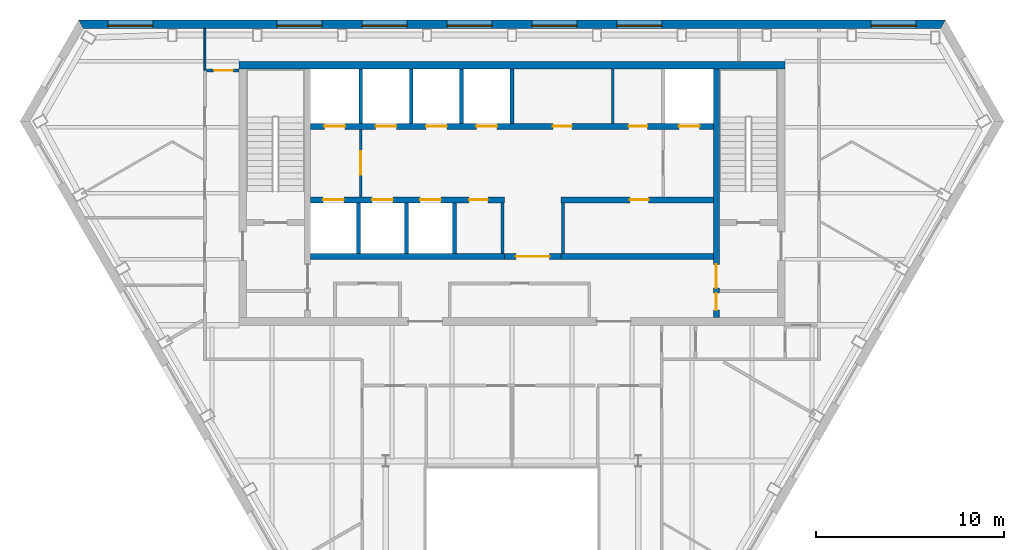
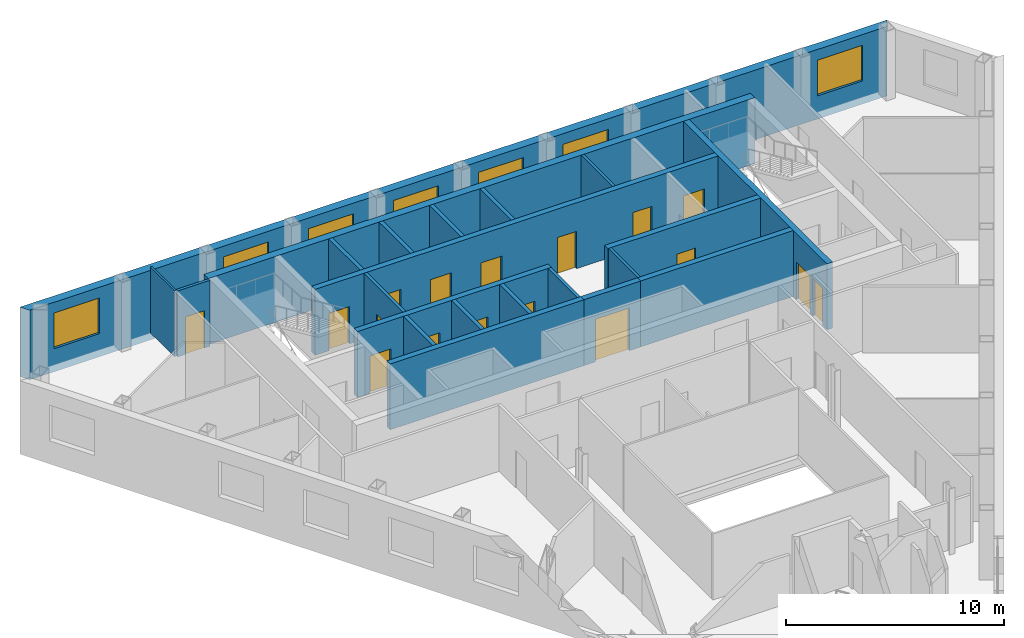
# One storey, part 6 of 10: 22 walls, 17 doors, 7 windows, 24 openings.
"""IFC4 building model written with IfcOpenShell, lengths in metres."""

from ifc_helpers import new_model, si_unit, direction, frame, frame_2d, origin, place, context, subcontext, project, spatial, polyline, rectangle, outline, extrude, material, layer, layer_set, type_object, element, fill, save


model = new_model("IFC4")

# Units and contexts
model_context = context("Model", 3, precision=1e-05, world=origin(), true_north=direction((0.0, 1.0)))
body_context = subcontext(model_context, "Body", "Model", "MODEL_VIEW")
ifc_project = project(units=[si_unit("LENGTHUNIT", "METRE"), si_unit("AREAUNIT", "SQUARE_METRE"), si_unit("VOLUMEUNIT", "CUBIC_METRE"), si_unit("PLANEANGLEUNIT", "RADIAN"), si_unit("MASSUNIT", "GRAM", prefix="KILO")], contexts=[model_context])

# Site, building, storey
site_placement = place(None, origin())
site = spatial("IfcSite", under=ifc_project, at=site_placement, CompositionType="ELEMENT")
building_placement = place(site_placement, origin())
building = spatial("IfcBuilding", under=site, at=building_placement, Name="Njiva Tower", CompositionType="ELEMENT")
storey_placement = place(building_placement, frame((0.0, 0.0, 253.2)))
storey = spatial("IfcBuildingStorey", under=building, at=storey_placement, Name="L57", CompositionType="ELEMENT", Elevation=253.2)

# Walls
ifc_material_1 = material(Name="Blockwork", Category="masonry")
ifc_layer_1 = layer(ifc_material_1, 0.15)
ifc_layer_set_1 = layer_set([ifc_layer_1], Name="Blockwork")
wall_type_1 = type_object("IfcWallType", Name="WT1 Compartment partition 150", PredefinedType="PARTITIONING", material=ifc_layer_set_1)
wall_1_placement = place(storey_placement, frame((5.35, 14.7, 0.0), z_axis=(0.0, 0.0, 1.0), x_axis=(0.0, 1.0, 0.0)))
element("IfcWall", 1, at=wall_1_placement, inside=storey, type_object=wall_type_1, Name="Partition CN6", PredefinedType="PARTITIONING", context=body_context, shape_type="SweptSolid", body=[
    extrude(rectangle(XDim=2.9, YDim=0.15, at=frame_2d((1.45, 0.0))), origin(), (0.0, 0.0, 1.0), 3.7),
])
for number, where, z_axis, x_axis, name in (
    (2, (-0.5, 7.8, 0.0), (0.0, 0.0, 1.0), (0.0, 1.0, 0.0), "Partition CS4"),
    (3, (2.7, 7.8, 0.0), (0.0, 0.0, 1.0), (0.0, 1.0, 0.0), "Partition CS5"),
):
    element("IfcWall", number, at=place(storey_placement, frame(where, z_axis=z_axis, x_axis=x_axis)), inside=storey, type_object=wall_type_1, Name=name, PredefinedType="PARTITIONING", context=body_context, shape_type="SweptSolid", body=[
        extrude(rectangle(XDim=2.7, YDim=0.15, at=frame_2d((1.35, 0.0))), origin(), (0.0, 0.0, 1.0), 3.7),
    ])

# Wall, openings, doors
ifc_material_2 = material(Name="Concrete C40/50", Category="concrete")
ifc_layer_2 = layer(ifc_material_2, 0.3)
ifc_layer_set_2 = layer_set([ifc_layer_2], Name="Concrete C40/50")
wall_type_2 = type_object("IfcWallType", Name="WT10 Stair enclosure wall 300", PredefinedType="SHEAR", material=ifc_layer_set_2)
wall_2_placement = place(storey_placement, frame((10.85, 4.4, 0.0), z_axis=(0.0, 0.0, 1.0), x_axis=(0.0, 1.0, 0.0)))
wall_2 = element("IfcWall", 4, at=wall_2_placement, inside=storey, type_object=wall_type_2, Name="Stair wall east inner", PredefinedType="SHEAR", context=body_context, shape_type="SweptSolid", body=[
    extrude(rectangle(XDim=13.2, YDim=0.3, at=frame_2d((6.6, 0.0))), origin(), (0.0, 0.0, 1.0), 3.7),
])
opening_1_placement = place(wall_2_placement, frame((1.575, 0.0, 0.0)))
opening_1 = element("IfcOpeningElement", 5, at=opening_1_placement, cuts=wall_2, Name="Opening S18-D920", PredefinedType="OPENING", context=body_context, shape_type="SweptSolid", body=[
    extrude(rectangle(XDim=1.25, YDim=2.1, at=frame_2d((0.625, 1.05))), frame((0.0, 0.16, 0.0), z_axis=(0.0, -1.0, 0.0), x_axis=(1.0, 0.0, 0.0)), (0.0, 0.0, 1.0), 0.32),
])
opening_2_placement = place(wall_2_placement, frame((0.4, 0.0, 0.0)))
opening_2 = element("IfcOpeningElement", 6, at=opening_2_placement, cuts=wall_2, Name="Opening S18-D922", PredefinedType="OPENING", context=body_context, shape_type="SweptSolid", body=[
    extrude(rectangle(XDim=0.9, YDim=2.1, at=frame_2d((0.45, 1.05))), frame((0.0, 0.16, 0.0), z_axis=(0.0, -1.0, 0.0), x_axis=(1.0, 0.0, 0.0)), (0.0, 0.0, 1.0), 0.32),
])
ifc_material_3 = material(Name="Steel door, painted", Category="steel")
door_type_1 = type_object("IfcDoorType", Name="D13 Steel door 900x2100", OperationType="SINGLE_SWING_LEFT", PredefinedType="DOOR", material=ifc_material_3)
door_1_placement = place(opening_2_placement, origin())
door_1 = element("IfcDoor", 7, at=door_1_placement, inside=storey, type_object=door_type_1, Name="Breakout room door", OperationType="SINGLE_SWING_LEFT", OverallHeight=2.1, OverallWidth=0.9, PredefinedType="DOOR", context=body_context, shape_type="SweptSolid", body=[
    extrude(rectangle(XDim=0.9, YDim=2.1, at=frame_2d((0.45, 1.05))), frame((0.0, 0.025, 0.0), z_axis=(0.0, -1.0, 0.0), x_axis=(1.0, 0.0, 0.0)), (0.0, 0.0, 1.0), 0.05),
])
fill(opening_2, door_1)
ifc_material_4 = material(Name="Glazed steel fire door", Category="steel")
door_type_2 = type_object("IfcDoorType", Name="D8 Vestibule corridor door 1250x2100 glazed", OperationType="SINGLE_SWING_LEFT", PredefinedType="DOOR", material=ifc_material_4)
door_2_placement = place(opening_1_placement, origin())
door_2 = element("IfcDoor", 8, at=door_2_placement, inside=storey, type_object=door_type_2, Name="Stair vestibule corridor door", OperationType="SINGLE_SWING_RIGHT", OverallHeight=2.1, OverallWidth=1.25, PredefinedType="DOOR", context=body_context, shape_type="SweptSolid", body=[
    extrude(rectangle(XDim=1.25, YDim=2.1, at=frame_2d((0.625, 1.05))), frame((0.0, 0.025, 0.0), z_axis=(0.0, -1.0, 0.0), x_axis=(1.0, 0.0, 0.0)), (0.0, 0.0, 1.0), 0.05),
])
fill(opening_1, door_2)

# Wall
ifc_material_5 = material(Name="Concrete C60/75", Category="concrete")
ifc_layer_3 = layer(ifc_material_5, 0.4)
ifc_layer_set_3 = layer_set([ifc_layer_3], Name="Concrete C60/75")
wall_type_3 = type_object("IfcWallType", Name="WT11 Core wall 400", PredefinedType="SHEAR", material=ifc_layer_set_3)
wall_3_placement = place(storey_placement, frame((-14.5, 17.8, 0.0), z_axis=(0.0, 0.0, 1.0), x_axis=(1.0, 0.0, 0.0)))
element("IfcWall", 9, at=wall_3_placement, inside=storey, type_object=wall_type_3, Name="Core wall north", PredefinedType="SHEAR", context=body_context, shape_type="SweptSolid", body=[
    extrude(rectangle(XDim=29.0, YDim=0.4, at=frame_2d((14.5, 0.0))), origin(), (0.0, 0.0, 1.0), 3.7),
])

# Wall, opening, door
ifc_layer_4 = layer(ifc_material_1, 0.15)
ifc_layer_set_4 = layer_set([ifc_layer_4], Name="Blockwork")
wall_type_4 = type_object("IfcWallType", Name="WT2 Lobby partition 150", PredefinedType="PARTITIONING", material=ifc_layer_set_4)
wall_4_placement = place(storey_placement, frame((-8.025, 10.8, 0.0), z_axis=(0.0, 0.0, 1.0), x_axis=(0.0, 1.0, 0.0)))
wall_4 = element("IfcWall", 10, at=wall_4_placement, inside=storey, type_object=wall_type_4, Name="Firefighting lobby wall A", PredefinedType="PARTITIONING", context=body_context, shape_type="SweptSolid", body=[
    extrude(rectangle(XDim=3.6, YDim=0.15, at=frame_2d((1.8, 0.0))), origin(), (0.0, 0.0, 1.0), 3.7),
])
opening_3_placement = place(wall_4_placement, frame((1.175, 0.0, 0.0)))
opening_3 = element("IfcOpeningElement", 11, at=opening_3_placement, cuts=wall_4, Name="Opening S18-D913", PredefinedType="OPENING", context=body_context, shape_type="SweptSolid", body=[
    extrude(rectangle(XDim=1.25, YDim=2.1, at=frame_2d((0.625, 1.05))), frame((0.0, 0.085, 0.0), z_axis=(0.0, -1.0, 0.0), x_axis=(1.0, 0.0, 0.0)), (0.0, 0.0, 1.0), 0.17),
])
door_3_placement = place(opening_3_placement, origin())
door_3 = element("IfcDoor", 12, at=door_3_placement, inside=storey, type_object=door_type_2, Name="Stair vestibule corridor door", OperationType="SINGLE_SWING_RIGHT", OverallHeight=2.1, OverallWidth=1.25, PredefinedType="DOOR", context=body_context, shape_type="SweptSolid", body=[
    extrude(rectangle(XDim=1.25, YDim=2.1, at=frame_2d((0.625, 1.05))), frame((0.0, 0.025, 0.0), z_axis=(0.0, -1.0, 0.0), x_axis=(1.0, 0.0, 0.0)), (0.0, 0.0, 1.0), 0.05),
])
fill(opening_3, door_3)

# Wall
ifc_material_6 = material(Name="Gypsum board on steel studs", Category="gypsum")
ifc_layer_5 = layer(ifc_material_6, 0.1)
ifc_layer_set_5 = layer_set([ifc_layer_5], Name="Gypsum board on steel studs")
wall_type_5 = type_object("IfcWallType", Name="WT20 Gypsum partition 100", PredefinedType="PARTITIONING", material=ifc_layer_set_5)
wall_5_placement = place(storey_placement, frame((-16.3, 17.531, 0.0), z_axis=(0.0, 0.0, 1.0), x_axis=(0.0, 1.0, 0.0)))
element("IfcWall", 13, at=wall_5_placement, inside=storey, type_object=wall_type_5, Name="Partition S18-P007", PredefinedType="PARTITIONING", context=body_context, shape_type="SweptSolid", body=[
    extrude(rectangle(XDim=2.219, YDim=0.1, at=frame_2d((1.1095, 0.0))), origin(), (0.0, 0.0, 1.0), 3.7),
])

# Wall, opening, door
ifc_layer_6 = layer(ifc_material_6, 0.15)
ifc_layer_set_6 = layer_set([ifc_layer_6], Name="Gypsum board on steel studs")
wall_type_6 = type_object("IfcWallType", Name="WT21 Compartment wall 150", PredefinedType="PARTITIONING", material=ifc_layer_set_6)
wall_6_placement = place(storey_placement, frame((-16.225, 17.519, 0.0), z_axis=(0.0, 0.0, 1.0), x_axis=(1.0, 0.0, 0.0)))
wall_6 = element("IfcWall", 14, at=wall_6_placement, inside=storey, type_object=wall_type_6, Name="Partition S18-P009", PredefinedType="PARTITIONING", context=body_context, shape_type="SweptSolid", body=[
    extrude(rectangle(XDim=1.725, YDim=0.15, at=frame_2d((0.8625, 0.0))), origin(), (0.0, 0.0, 1.0), 3.7),
])
opening_4_placement = place(wall_6_placement, frame((0.417, 0.0, 0.0)))
opening_4 = element("IfcOpeningElement", 15, at=opening_4_placement, cuts=wall_6, Name="Opening S18-D005", PredefinedType="OPENING", context=body_context, shape_type="SweptSolid", body=[
    extrude(rectangle(XDim=1.0, YDim=2.1, at=frame_2d((0.5, 1.05))), frame((0.0, 0.085, 0.0), z_axis=(0.0, -1.0, 0.0), x_axis=(1.0, 0.0, 0.0)), (0.0, 0.0, 1.0), 0.17),
])
ifc_material_7 = material(Name="Steel fire door set", Category="steel")
door_type_3 = type_object("IfcDoorType", Name="D37 Fire door 1000x2100", OperationType="SINGLE_SWING_LEFT", PredefinedType="DOOR", material=ifc_material_7)
door_4_placement = place(opening_4_placement, origin())
door_4 = element("IfcDoor", 16, at=door_4_placement, inside=storey, type_object=door_type_3, Name="Door S18-D005", OperationType="SINGLE_SWING_LEFT", OverallHeight=2.1, OverallWidth=1.0, PredefinedType="DOOR", context=body_context, shape_type="SweptSolid", body=[
    extrude(rectangle(XDim=1.0, YDim=2.1, at=frame_2d((0.5, 1.05))), frame((0.0, 0.025, 0.0), z_axis=(0.0, -1.0, 0.0), x_axis=(1.0, 0.0, 0.0)), (0.0, 0.0, 1.0), 0.05),
])
fill(opening_4, door_4)

ifc_layer_7 = layer(ifc_material_1, 0.3)
ifc_layer_set_7 = layer_set([ifc_layer_7], Name="Blockwork")
wall_type_7 = type_object("IfcWallType", Name="WT5 Lobby partition 300", PredefinedType="PARTITIONING", material=ifc_layer_set_7)
wall_7_placement = place(storey_placement, frame((-0.4, 7.65, 0.0), z_axis=(0.0, 0.0, 1.0), x_axis=(1.0, 0.0, 0.0)))
wall_7 = element("IfcWall", 17, at=wall_7_placement, inside=storey, type_object=wall_type_7, Name="Lift lobby screen wall", PredefinedType="PARTITIONING", context=body_context, shape_type="SweptSolid", body=[
    extrude(rectangle(XDim=3.0, YDim=0.3, at=frame_2d((1.5, 0.0))), origin(), (0.0, 0.0, 1.0), 3.7),
])
opening_5_placement = place(wall_7_placement, frame((0.6, 0.0, 0.0)))
opening_5 = element("IfcOpeningElement", 18, at=opening_5_placement, cuts=wall_7, Name="Opening S18-D925", PredefinedType="OPENING", context=body_context, shape_type="SweptSolid", body=[
    extrude(rectangle(XDim=1.8, YDim=2.4, at=frame_2d((0.9, 1.2))), frame((0.0, 0.16, 0.0), z_axis=(0.0, -1.0, 0.0), x_axis=(1.0, 0.0, 0.0)), (0.0, 0.0, 1.0), 0.32),
])
ifc_material_8 = material(Name="Steel and glass door", Category="steel")
door_type_4 = type_object("IfcDoorType", Name="D3 Core entrance door 1800x2400", OperationType="DOUBLE_DOOR_SINGLE_SWING", PredefinedType="DOOR", material=ifc_material_8)
door_5_placement = place(opening_5_placement, origin())
door_5 = element("IfcDoor", 19, at=door_5_placement, inside=storey, type_object=door_type_4, Name="Core entrance door", OperationType="DOUBLE_DOOR_SINGLE_SWING", OverallHeight=2.4, OverallWidth=1.8, PredefinedType="DOOR", context=body_context, shape_type="SweptSolid", body=[
    extrude(rectangle(XDim=1.8, YDim=2.4, at=frame_2d((0.9, 1.2))), frame((0.0, 0.025, 0.0), z_axis=(0.0, -1.0, 0.0), x_axis=(1.0, 0.0, 0.0)), (0.0, 0.0, 1.0), 0.05),
])
fill(opening_5, door_5)

# Walls
ifc_layer_8 = layer(ifc_material_2, 0.2)
ifc_layer_set_8 = layer_set([ifc_layer_8], Name="Concrete C40/50")
wall_type_8 = type_object("IfcWallType", Name="WT6 Lift shaft wall 200", PredefinedType="SHEAR", material=ifc_layer_set_8)
for number, where, z_axis, x_axis, name in (
    (20, (-8.025, 14.7, 0.0), (0.0, 0.0, 1.0), (0.0, 1.0, 0.0), "Shaft wall CN1"),
    (21, (-5.35, 14.7, 0.0), (0.0, 0.0, 1.0), (0.0, 1.0, 0.0), "Shaft wall CN2"),
    (22, (-2.675, 14.7, 0.0), (0.0, 0.0, 1.0), (0.0, 1.0, 0.0), "Shaft wall CN3"),
    (23, (0.0, 14.7, 0.0), (0.0, 0.0, 1.0), (0.0, 1.0, 0.0), "Shaft wall CN4"),
):
    element("IfcWall", number, at=place(storey_placement, frame(where, z_axis=z_axis, x_axis=x_axis)), inside=storey, type_object=wall_type_8, Name=name, PredefinedType="SHEAR", context=body_context, shape_type="SweptSolid", body=[
        extrude(rectangle(XDim=2.9, YDim=0.2, at=frame_2d((1.45, 0.0))), origin(), (0.0, 0.0, 1.0), 3.7),
    ])
for number, where, z_axis, x_axis, name in (
    (24, (-8.15, 7.8, 0.0), (0.0, 0.0, 1.0), (0.0, 1.0, 0.0), "Shaft wall CS1"),
    (25, (-5.6, 7.8, 0.0), (0.0, 0.0, 1.0), (0.0, 1.0, 0.0), "Shaft wall CS2"),
    (26, (-3.05, 7.8, 0.0), (0.0, 0.0, 1.0), (0.0, 1.0, 0.0), "Shaft wall CS3"),
):
    element("IfcWall", number, at=place(storey_placement, frame(where, z_axis=z_axis, x_axis=x_axis)), inside=storey, type_object=wall_type_8, Name=name, PredefinedType="SHEAR", context=body_context, shape_type="SweptSolid", body=[
        extrude(rectangle(XDim=2.7, YDim=0.2, at=frame_2d((1.35, 0.0))), origin(), (0.0, 0.0, 1.0), 3.7),
    ])

# Wall, openings, doors
ifc_layer_9 = layer(ifc_material_2, 0.3)
ifc_layer_set_9 = layer_set([ifc_layer_9], Name="Concrete C40/50")
wall_type_9 = type_object("IfcWallType", Name="WT7 Lift shaft wall 300", PredefinedType="SHEAR", material=ifc_layer_set_9)
wall_8_placement = place(storey_placement, frame((-10.7, 14.55, 0.0), z_axis=(0.0, 0.0, 1.0), x_axis=(1.0, 0.0, 0.0)))
wall_8 = element("IfcWall", 27, at=wall_8_placement, inside=storey, type_object=wall_type_9, Name="Shaft wall north row lobby side", PredefinedType="SHEAR", context=body_context, shape_type="SweptSolid", body=[
    extrude(rectangle(XDim=21.4, YDim=0.3, at=frame_2d((10.7, 0.0))), origin(), (0.0, 0.0, 1.0), 3.7),
])
opening_6_placement = place(wall_8_placement, frame((0.7375, 0.0, 0.0)))
opening_6 = element("IfcOpeningElement", 28, at=opening_6_placement, cuts=wall_8, Name="Opening S18-D901", PredefinedType="OPENING", context=body_context, shape_type="SweptSolid", body=[
    extrude(rectangle(XDim=1.1, YDim=2.1, at=frame_2d((0.55, 1.05))), frame((0.0, 0.16, 0.0), z_axis=(0.0, -1.0, 0.0), x_axis=(1.0, 0.0, 0.0)), (0.0, 0.0, 1.0), 0.32),
])
opening_7_placement = place(wall_8_placement, frame((3.4625, 0.0, 0.0)))
opening_7 = element("IfcOpeningElement", 29, at=opening_7_placement, cuts=wall_8, Name="Opening S18-D902", PredefinedType="OPENING", context=body_context, shape_type="SweptSolid", body=[
    extrude(rectangle(XDim=1.1, YDim=2.1, at=frame_2d((0.55, 1.05))), frame((0.0, 0.16, 0.0), z_axis=(0.0, -1.0, 0.0), x_axis=(1.0, 0.0, 0.0)), (0.0, 0.0, 1.0), 0.32),
])
opening_8_placement = place(wall_8_placement, frame((6.1375, 0.0, 0.0)))
opening_8 = element("IfcOpeningElement", 30, at=opening_8_placement, cuts=wall_8, Name="Opening S18-D903", PredefinedType="OPENING", context=body_context, shape_type="SweptSolid", body=[
    extrude(rectangle(XDim=1.1, YDim=2.1, at=frame_2d((0.55, 1.05))), frame((0.0, 0.16, 0.0), z_axis=(0.0, -1.0, 0.0), x_axis=(1.0, 0.0, 0.0)), (0.0, 0.0, 1.0), 0.32),
])
opening_9_placement = place(wall_8_placement, frame((8.8125, 0.0, 0.0)))
opening_9 = element("IfcOpeningElement", 31, at=opening_9_placement, cuts=wall_8, Name="Opening S18-D904", PredefinedType="OPENING", context=body_context, shape_type="SweptSolid", body=[
    extrude(rectangle(XDim=1.1, YDim=2.1, at=frame_2d((0.55, 1.05))), frame((0.0, 0.16, 0.0), z_axis=(0.0, -1.0, 0.0), x_axis=(1.0, 0.0, 0.0)), (0.0, 0.0, 1.0), 0.32),
])
opening_10_placement = place(wall_8_placement, frame((19.5625, 0.0, 0.0)))
opening_10 = element("IfcOpeningElement", 32, at=opening_10_placement, cuts=wall_8, Name="Opening S18-D905", PredefinedType="OPENING", context=body_context, shape_type="SweptSolid", body=[
    extrude(rectangle(XDim=1.1, YDim=2.1, at=frame_2d((0.55, 1.05))), frame((0.0, 0.16, 0.0), z_axis=(0.0, -1.0, 0.0), x_axis=(1.0, 0.0, 0.0)), (0.0, 0.0, 1.0), 0.32),
])
opening_11_placement = place(wall_8_placement, frame((12.875, 0.0, 0.0)))
opening_11 = element("IfcOpeningElement", 33, at=opening_11_placement, cuts=wall_8, Name="Opening S18-D909", PredefinedType="OPENING", context=body_context, shape_type="SweptSolid", body=[
    extrude(rectangle(XDim=1.0, YDim=2.1, at=frame_2d((0.5, 1.05))), frame((0.0, 0.16, 0.0), z_axis=(0.0, -1.0, 0.0), x_axis=(1.0, 0.0, 0.0)), (0.0, 0.0, 1.0), 0.32),
])
opening_12_placement = place(wall_8_placement, frame((16.8875, 0.0, 0.0)))
opening_12 = element("IfcOpeningElement", 34, at=opening_12_placement, cuts=wall_8, Name="Opening S18-D910", PredefinedType="OPENING", context=body_context, shape_type="SweptSolid", body=[
    extrude(rectangle(XDim=1.0, YDim=2.1, at=frame_2d((0.5, 1.05))), frame((0.0, 0.16, 0.0), z_axis=(0.0, -1.0, 0.0), x_axis=(1.0, 0.0, 0.0)), (0.0, 0.0, 1.0), 0.32),
])
door_type_5 = type_object("IfcDoorType", Name="D5 Steel door 1000x2100", OperationType="SINGLE_SWING_LEFT", PredefinedType="DOOR", material=ifc_material_3)
door_6_placement = place(opening_11_placement, origin())
door_6 = element("IfcDoor", 35, at=door_6_placement, inside=storey, type_object=door_type_5, Name="Breakout room door", OperationType="SINGLE_SWING_LEFT", OverallHeight=2.1, OverallWidth=1.0, PredefinedType="DOOR", context=body_context, shape_type="SweptSolid", body=[
    extrude(rectangle(XDim=1.0, YDim=2.1, at=frame_2d((0.5, 1.05))), frame((0.0, 0.025, 0.0), z_axis=(0.0, -1.0, 0.0), x_axis=(1.0, 0.0, 0.0)), (0.0, 0.0, 1.0), 0.05),
])
fill(opening_11, door_6)
door_7_placement = place(opening_12_placement, origin())
door_7 = element("IfcDoor", 36, at=door_7_placement, inside=storey, type_object=door_type_5, Name="Quiet room door", OperationType="SINGLE_SWING_LEFT", OverallHeight=2.1, OverallWidth=1.0, PredefinedType="DOOR", context=body_context, shape_type="SweptSolid", body=[
    extrude(rectangle(XDim=1.0, YDim=2.1, at=frame_2d((0.5, 1.05))), frame((0.0, 0.025, 0.0), z_axis=(0.0, -1.0, 0.0), x_axis=(1.0, 0.0, 0.0)), (0.0, 0.0, 1.0), 0.05),
])
fill(opening_12, door_7)
ifc_material_9 = material(Name="Stainless steel sliding door", Category="steel")
door_type_6 = type_object("IfcDoorType", Name="LD Lift landing door 1100x2100", OperationType="SLIDING_TO_LEFT", PredefinedType="DOOR", material=ifc_material_9)
door_8_placement = place(opening_6_placement, origin())
door_8 = element("IfcDoor", 37, at=door_8_placement, inside=storey, type_object=door_type_6, Name="Lift landing door FF1", OperationType="SLIDING_TO_LEFT", OverallHeight=2.1, OverallWidth=1.1, PredefinedType="DOOR", context=body_context, shape_type="SweptSolid", body=[
    extrude(rectangle(XDim=1.1, YDim=2.1, at=frame_2d((0.55, 1.05))), frame((0.0, 0.025, 0.0), z_axis=(0.0, -1.0, 0.0), x_axis=(1.0, 0.0, 0.0)), (0.0, 0.0, 1.0), 0.05),
])
fill(opening_6, door_8)
door_9_placement = place(opening_7_placement, origin())
door_9 = element("IfcDoor", 38, at=door_9_placement, inside=storey, type_object=door_type_6, Name="Lift landing door HB4", OperationType="SLIDING_TO_LEFT", OverallHeight=2.1, OverallWidth=1.1, PredefinedType="DOOR", context=body_context, shape_type="SweptSolid", body=[
    extrude(rectangle(XDim=1.1, YDim=2.1, at=frame_2d((0.55, 1.05))), frame((0.0, 0.025, 0.0), z_axis=(0.0, -1.0, 0.0), x_axis=(1.0, 0.0, 0.0)), (0.0, 0.0, 1.0), 0.05),
])
fill(opening_7, door_9)
door_10_placement = place(opening_8_placement, origin())
door_10 = element("IfcDoor", 39, at=door_10_placement, inside=storey, type_object=door_type_6, Name="Lift landing door HB5", OperationType="SLIDING_TO_LEFT", OverallHeight=2.1, OverallWidth=1.1, PredefinedType="DOOR", context=body_context, shape_type="SweptSolid", body=[
    extrude(rectangle(XDim=1.1, YDim=2.1, at=frame_2d((0.55, 1.05))), frame((0.0, 0.025, 0.0), z_axis=(0.0, -1.0, 0.0), x_axis=(1.0, 0.0, 0.0)), (0.0, 0.0, 1.0), 0.05),
])
fill(opening_8, door_10)
door_11_placement = place(opening_9_placement, origin())
door_11 = element("IfcDoor", 40, at=door_11_placement, inside=storey, type_object=door_type_6, Name="Lift landing door HB6", OperationType="SLIDING_TO_LEFT", OverallHeight=2.1, OverallWidth=1.1, PredefinedType="DOOR", context=body_context, shape_type="SweptSolid", body=[
    extrude(rectangle(XDim=1.1, YDim=2.1, at=frame_2d((0.55, 1.05))), frame((0.0, 0.025, 0.0), z_axis=(0.0, -1.0, 0.0), x_axis=(1.0, 0.0, 0.0)), (0.0, 0.0, 1.0), 0.05),
])
fill(opening_9, door_11)
door_12_placement = place(opening_10_placement, origin())
door_12 = element("IfcDoor", 41, at=door_12_placement, inside=storey, type_object=door_type_6, Name="Lift landing door FF2", OperationType="SLIDING_TO_LEFT", OverallHeight=2.1, OverallWidth=1.1, PredefinedType="DOOR", context=body_context, shape_type="SweptSolid", body=[
    extrude(rectangle(XDim=1.1, YDim=2.1, at=frame_2d((0.55, 1.05))), frame((0.0, 0.025, 0.0), z_axis=(0.0, -1.0, 0.0), x_axis=(1.0, 0.0, 0.0)), (0.0, 0.0, 1.0), 0.05),
])
fill(opening_10, door_12)

wall_9_placement = place(storey_placement, frame((-10.7, 10.65, 0.0), z_axis=(0.0, 0.0, 1.0), x_axis=(1.0, 0.0, 0.0)))
wall_9 = element("IfcWall", 42, at=wall_9_placement, inside=storey, type_object=wall_type_9, Name="Shaft wall south row lobby side W", PredefinedType="SHEAR", context=body_context, shape_type="SweptSolid", body=[
    extrude(rectangle(XDim=10.3, YDim=0.3, at=frame_2d((5.15, 0.0))), origin(), (0.0, 0.0, 1.0), 3.7),
])
opening_13_placement = place(wall_9_placement, frame((0.675, 0.0, 0.0)))
opening_13 = element("IfcOpeningElement", 43, at=opening_13_placement, cuts=wall_9, Name="Opening S18-D906", PredefinedType="OPENING", context=body_context, shape_type="SweptSolid", body=[
    extrude(rectangle(XDim=1.1, YDim=2.1, at=frame_2d((0.55, 1.05))), frame((0.0, 0.16, 0.0), z_axis=(0.0, -1.0, 0.0), x_axis=(1.0, 0.0, 0.0)), (0.0, 0.0, 1.0), 0.32),
])
opening_14_placement = place(wall_9_placement, frame((3.275, 0.0, 0.0)))
opening_14 = element("IfcOpeningElement", 44, at=opening_14_placement, cuts=wall_9, Name="Opening S18-D907", PredefinedType="OPENING", context=body_context, shape_type="SweptSolid", body=[
    extrude(rectangle(XDim=1.1, YDim=2.1, at=frame_2d((0.55, 1.05))), frame((0.0, 0.16, 0.0), z_axis=(0.0, -1.0, 0.0), x_axis=(1.0, 0.0, 0.0)), (0.0, 0.0, 1.0), 0.32),
])
opening_15_placement = place(wall_9_placement, frame((5.825, 0.0, 0.0)))
opening_15 = element("IfcOpeningElement", 45, at=opening_15_placement, cuts=wall_9, Name="Opening S18-D908", PredefinedType="OPENING", context=body_context, shape_type="SweptSolid", body=[
    extrude(rectangle(XDim=1.1, YDim=2.1, at=frame_2d((0.55, 1.05))), frame((0.0, 0.16, 0.0), z_axis=(0.0, -1.0, 0.0), x_axis=(1.0, 0.0, 0.0)), (0.0, 0.0, 1.0), 0.32),
])
opening_16_placement = place(wall_9_placement, frame((8.425, 0.0, 0.0)))
opening_16 = element("IfcOpeningElement", 46, at=opening_16_placement, cuts=wall_9, Name="Opening S18-D911", PredefinedType="OPENING", context=body_context, shape_type="SweptSolid", body=[
    extrude(rectangle(XDim=1.0, YDim=2.1, at=frame_2d((0.5, 1.05))), frame((0.0, 0.16, 0.0), z_axis=(0.0, -1.0, 0.0), x_axis=(1.0, 0.0, 0.0)), (0.0, 0.0, 1.0), 0.32),
])
door_13_placement = place(opening_16_placement, origin())
door_13 = element("IfcDoor", 47, at=door_13_placement, inside=storey, type_object=door_type_5, Name="Reading room door", OperationType="SINGLE_SWING_RIGHT", OverallHeight=2.1, OverallWidth=1.0, PredefinedType="DOOR", context=body_context, shape_type="SweptSolid", body=[
    extrude(rectangle(XDim=1.0, YDim=2.1, at=frame_2d((0.5, 1.05))), frame((0.0, 0.025, 0.0), z_axis=(0.0, -1.0, 0.0), x_axis=(1.0, 0.0, 0.0)), (0.0, 0.0, 1.0), 0.05),
])
fill(opening_16, door_13)
door_14_placement = place(opening_13_placement, origin())
door_14 = element("IfcDoor", 48, at=door_14_placement, inside=storey, type_object=door_type_6, Name="Lift landing door HB1", OperationType="SLIDING_TO_LEFT", OverallHeight=2.1, OverallWidth=1.1, PredefinedType="DOOR", context=body_context, shape_type="SweptSolid", body=[
    extrude(rectangle(XDim=1.1, YDim=2.1, at=frame_2d((0.55, 1.05))), frame((0.0, 0.025, 0.0), z_axis=(0.0, -1.0, 0.0), x_axis=(1.0, 0.0, 0.0)), (0.0, 0.0, 1.0), 0.05),
])
fill(opening_13, door_14)
door_15_placement = place(opening_14_placement, origin())
door_15 = element("IfcDoor", 49, at=door_15_placement, inside=storey, type_object=door_type_6, Name="Lift landing door HB2", OperationType="SLIDING_TO_LEFT", OverallHeight=2.1, OverallWidth=1.1, PredefinedType="DOOR", context=body_context, shape_type="SweptSolid", body=[
    extrude(rectangle(XDim=1.1, YDim=2.1, at=frame_2d((0.55, 1.05))), frame((0.0, 0.025, 0.0), z_axis=(0.0, -1.0, 0.0), x_axis=(1.0, 0.0, 0.0)), (0.0, 0.0, 1.0), 0.05),
])
fill(opening_14, door_15)
door_16_placement = place(opening_15_placement, origin())
door_16 = element("IfcDoor", 50, at=door_16_placement, inside=storey, type_object=door_type_6, Name="Lift landing door HB3", OperationType="SLIDING_TO_LEFT", OverallHeight=2.1, OverallWidth=1.1, PredefinedType="DOOR", context=body_context, shape_type="SweptSolid", body=[
    extrude(rectangle(XDim=1.1, YDim=2.1, at=frame_2d((0.55, 1.05))), frame((0.0, 0.025, 0.0), z_axis=(0.0, -1.0, 0.0), x_axis=(1.0, 0.0, 0.0)), (0.0, 0.0, 1.0), 0.05),
])
fill(opening_15, door_16)

# Wall
wall_10_placement = place(storey_placement, frame((-10.7, 7.65, 0.0), z_axis=(0.0, 0.0, 1.0), x_axis=(1.0, 0.0, 0.0)))
element("IfcWall", 51, at=wall_10_placement, inside=storey, type_object=wall_type_9, Name="Shaft wall south row back W", PredefinedType="SHEAR", context=body_context, shape_type="SweptSolid", body=[
    extrude(rectangle(XDim=10.3, YDim=0.3, at=frame_2d((5.15, 0.0))), origin(), (0.0, 0.0, 1.0), 3.7),
])

# Wall, opening, door
wall_11_placement = place(storey_placement, frame((2.6, 10.65, 0.0), z_axis=(0.0, 0.0, 1.0), x_axis=(1.0, 0.0, 0.0)))
wall_11 = element("IfcWall", 52, at=wall_11_placement, inside=storey, type_object=wall_type_9, Name="Shaft wall south row lobby side E", PredefinedType="SHEAR", context=body_context, shape_type="SweptSolid", body=[
    extrude(rectangle(XDim=8.1, YDim=0.3, at=frame_2d((4.05, 0.0))), origin(), (0.0, 0.0, 1.0), 3.7),
])
opening_17_placement = place(wall_11_placement, frame((3.65, 0.0, 0.0)))
opening_17 = element("IfcOpeningElement", 53, at=opening_17_placement, cuts=wall_11, Name="Opening S18-D912", PredefinedType="OPENING", context=body_context, shape_type="SweptSolid", body=[
    extrude(rectangle(XDim=1.0, YDim=2.1, at=frame_2d((0.5, 1.05))), frame((0.0, 0.16, 0.0), z_axis=(0.0, -1.0, 0.0), x_axis=(1.0, 0.0, 0.0)), (0.0, 0.0, 1.0), 0.32),
])
door_17_placement = place(opening_17_placement, origin())
door_17 = element("IfcDoor", 54, at=door_17_placement, inside=storey, type_object=door_type_5, Name="Telecoms room door", OperationType="SINGLE_SWING_RIGHT", OverallHeight=2.1, OverallWidth=1.0, PredefinedType="DOOR", context=body_context, shape_type="SweptSolid", body=[
    extrude(rectangle(XDim=1.0, YDim=2.1, at=frame_2d((0.5, 1.05))), frame((0.0, 0.025, 0.0), z_axis=(0.0, -1.0, 0.0), x_axis=(1.0, 0.0, 0.0)), (0.0, 0.0, 1.0), 0.05),
])
fill(opening_17, door_17)

# Wall
wall_12_placement = place(storey_placement, frame((2.6, 7.65, 0.0), z_axis=(0.0, 0.0, 1.0), x_axis=(1.0, 0.0, 0.0)))
element("IfcWall", 55, at=wall_12_placement, inside=storey, type_object=wall_type_9, Name="Shaft wall south row back E", PredefinedType="SHEAR", context=body_context, shape_type="SweptSolid", body=[
    extrude(rectangle(XDim=8.1, YDim=0.3, at=frame_2d((4.05, 0.0))), origin(), (0.0, 0.0, 1.0), 3.7),
])

# Wall, openings, windows
ifc_material_10 = material(Name="Brick masonry", Category="masonry")
ifc_layer_10 = layer(ifc_material_10, 0.45)
ifc_layer_set_10 = layer_set([ifc_layer_10], Name="Brick masonry")
wall_type_10 = type_object("IfcWallType", Name="WT90 Brick pier and spandrel wall 450", PredefinedType="SOLIDWALL", material=ifc_layer_set_10)
wall_13_placement = place(storey_placement, frame((22.8751, 19.975, -0.4), z_axis=(0.0, 0.0, 1.0), x_axis=(-1.0, 0.0, 0.0)))
wall_13 = element("IfcWall", 56, at=wall_13_placement, inside=storey, type_object=wall_type_10, Name="Facade wall N", PredefinedType="SOLIDWALL", context=body_context, shape_type="SweptSolid", body=[
    extrude(outline(polyline([(-0.1299, -0.225), (45.8801, -0.225), (45.6203, 0.225), (0.1299, 0.225), (-0.1299, -0.225)])), origin(), (0.0, 0.0, 1.0), 3.9),
])
opening_18_placement = place(wall_13_placement, frame((1.4247, 0.0, 1.3)))
opening_18 = element("IfcOpeningElement", 57, at=opening_18_placement, cuts=wall_13, Name="Opening S18-W01", PredefinedType="OPENING", context=body_context, shape_type="SweptSolid", body=[
    extrude(rectangle(XDim=2.4, YDim=2.0, at=frame_2d((1.2, 1.0))), frame((0.0, 0.235, 0.0), z_axis=(0.0, -1.0, 0.0), x_axis=(1.0, 0.0, 0.0)), (0.0, 0.0, 1.0), 0.47),
])
opening_19_placement = place(wall_13_placement, frame((14.9122, 0.0, 1.3)))
opening_19 = element("IfcOpeningElement", 58, at=opening_19_placement, cuts=wall_13, Name="Opening S18-W02", PredefinedType="OPENING", context=body_context, shape_type="SweptSolid", body=[
    extrude(rectangle(XDim=2.4, YDim=2.0, at=frame_2d((1.2, 1.0))), frame((0.0, 0.235, 0.0), z_axis=(0.0, -1.0, 0.0), x_axis=(1.0, 0.0, 0.0)), (0.0, 0.0, 1.0), 0.47),
])
opening_20_placement = place(wall_13_placement, frame((19.4208, 0.0, 1.3)))
opening_20 = element("IfcOpeningElement", 59, at=opening_20_placement, cuts=wall_13, Name="Opening S18-W03", PredefinedType="OPENING", context=body_context, shape_type="SweptSolid", body=[
    extrude(rectangle(XDim=2.4, YDim=2.0, at=frame_2d((1.2, 1.0))), frame((0.0, 0.235, 0.0), z_axis=(0.0, -1.0, 0.0), x_axis=(1.0, 0.0, 0.0)), (0.0, 0.0, 1.0), 0.47),
])
opening_21_placement = place(wall_13_placement, frame((23.9294, 0.0, 1.3)))
opening_21 = element("IfcOpeningElement", 60, at=opening_21_placement, cuts=wall_13, Name="Opening S18-W04", PredefinedType="OPENING", context=body_context, shape_type="SweptSolid", body=[
    extrude(rectangle(XDim=2.4, YDim=2.0, at=frame_2d((1.2, 1.0))), frame((0.0, 0.235, 0.0), z_axis=(0.0, -1.0, 0.0), x_axis=(1.0, 0.0, 0.0)), (0.0, 0.0, 1.0), 0.47),
])
opening_22_placement = place(wall_13_placement, frame((28.438, 0.0, 1.3)))
opening_22 = element("IfcOpeningElement", 61, at=opening_22_placement, cuts=wall_13, Name="Opening S18-W05", PredefinedType="OPENING", context=body_context, shape_type="SweptSolid", body=[
    extrude(rectangle(XDim=2.4, YDim=2.0, at=frame_2d((1.2, 1.0))), frame((0.0, 0.235, 0.0), z_axis=(0.0, -1.0, 0.0), x_axis=(1.0, 0.0, 0.0)), (0.0, 0.0, 1.0), 0.47),
])
opening_23_placement = place(wall_13_placement, frame((32.9466, 0.0, 1.3)))
opening_23 = element("IfcOpeningElement", 62, at=opening_23_placement, cuts=wall_13, Name="Opening S18-W06", PredefinedType="OPENING", context=body_context, shape_type="SweptSolid", body=[
    extrude(rectangle(XDim=2.4, YDim=2.0, at=frame_2d((1.2, 1.0))), frame((0.0, 0.235, 0.0), z_axis=(0.0, -1.0, 0.0), x_axis=(1.0, 0.0, 0.0)), (0.0, 0.0, 1.0), 0.47),
])
opening_24_placement = place(wall_13_placement, frame((41.9255, 0.0, 1.3)))
opening_24 = element("IfcOpeningElement", 63, at=opening_24_placement, cuts=wall_13, Name="Opening S18-W07", PredefinedType="OPENING", context=body_context, shape_type="SweptSolid", body=[
    extrude(rectangle(XDim=2.4, YDim=2.0, at=frame_2d((1.2, 1.0))), frame((0.0, 0.235, 0.0), z_axis=(0.0, -1.0, 0.0), x_axis=(1.0, 0.0, 0.0)), (0.0, 0.0, 1.0), 0.47),
])
ifc_material_11 = material(Name="Clear glazing in aluminium frame", Category="aluminium")
window_type = type_object("IfcWindowType", Name="W90 Deep-set window 2400x2000", PartitioningType="SINGLE_PANEL", PredefinedType="WINDOW", material=ifc_material_11)
window_1_placement = place(opening_18_placement, origin())
window_1 = element("IfcWindow", 64, at=window_1_placement, inside=storey, type_object=window_type, Name="Window", OverallHeight=2.0, OverallWidth=2.4, PartitioningType="SINGLE_PANEL", PredefinedType="WINDOW", context=body_context, shape_type="SweptSolid", body=[
    extrude(rectangle(XDim=2.4, YDim=2.0, at=frame_2d((1.2, 1.0))), frame((0.0, 0.105, 0.0), z_axis=(0.0, -1.0, 0.0), x_axis=(1.0, 0.0, 0.0)), (0.0, 0.0, 1.0), 0.06),
])
fill(opening_18, window_1)
window_2_placement = place(opening_19_placement, origin())
window_2 = element("IfcWindow", 65, at=window_2_placement, inside=storey, type_object=window_type, Name="Window", OverallHeight=2.0, OverallWidth=2.4, PartitioningType="SINGLE_PANEL", PredefinedType="WINDOW", context=body_context, shape_type="SweptSolid", body=[
    extrude(rectangle(XDim=2.4, YDim=2.0, at=frame_2d((1.2, 1.0))), frame((0.0, 0.105, 0.0), z_axis=(0.0, -1.0, 0.0), x_axis=(1.0, 0.0, 0.0)), (0.0, 0.0, 1.0), 0.06),
])
fill(opening_19, window_2)
window_3_placement = place(opening_20_placement, origin())
window_3 = element("IfcWindow", 66, at=window_3_placement, inside=storey, type_object=window_type, Name="Window", OverallHeight=2.0, OverallWidth=2.4, PartitioningType="SINGLE_PANEL", PredefinedType="WINDOW", context=body_context, shape_type="SweptSolid", body=[
    extrude(rectangle(XDim=2.4, YDim=2.0, at=frame_2d((1.2, 1.0))), frame((0.0, 0.105, 0.0), z_axis=(0.0, -1.0, 0.0), x_axis=(1.0, 0.0, 0.0)), (0.0, 0.0, 1.0), 0.06),
])
fill(opening_20, window_3)
window_4_placement = place(opening_21_placement, origin())
window_4 = element("IfcWindow", 67, at=window_4_placement, inside=storey, type_object=window_type, Name="Window", OverallHeight=2.0, OverallWidth=2.4, PartitioningType="SINGLE_PANEL", PredefinedType="WINDOW", context=body_context, shape_type="SweptSolid", body=[
    extrude(rectangle(XDim=2.4, YDim=2.0, at=frame_2d((1.2, 1.0))), frame((0.0, 0.105, 0.0), z_axis=(0.0, -1.0, 0.0), x_axis=(1.0, 0.0, 0.0)), (0.0, 0.0, 1.0), 0.06),
])
fill(opening_21, window_4)
window_5_placement = place(opening_22_placement, origin())
window_5 = element("IfcWindow", 68, at=window_5_placement, inside=storey, type_object=window_type, Name="Window", OverallHeight=2.0, OverallWidth=2.4, PartitioningType="SINGLE_PANEL", PredefinedType="WINDOW", context=body_context, shape_type="SweptSolid", body=[
    extrude(rectangle(XDim=2.4, YDim=2.0, at=frame_2d((1.2, 1.0))), frame((0.0, 0.105, 0.0), z_axis=(0.0, -1.0, 0.0), x_axis=(1.0, 0.0, 0.0)), (0.0, 0.0, 1.0), 0.06),
])
fill(opening_22, window_5)
window_6_placement = place(opening_23_placement, origin())
window_6 = element("IfcWindow", 69, at=window_6_placement, inside=storey, type_object=window_type, Name="Window", OverallHeight=2.0, OverallWidth=2.4, PartitioningType="SINGLE_PANEL", PredefinedType="WINDOW", context=body_context, shape_type="SweptSolid", body=[
    extrude(rectangle(XDim=2.4, YDim=2.0, at=frame_2d((1.2, 1.0))), frame((0.0, 0.105, 0.0), z_axis=(0.0, -1.0, 0.0), x_axis=(1.0, 0.0, 0.0)), (0.0, 0.0, 1.0), 0.06),
])
fill(opening_23, window_6)
window_7_placement = place(opening_24_placement, origin())
window_7 = element("IfcWindow", 70, at=window_7_placement, inside=storey, type_object=window_type, Name="Window", OverallHeight=2.0, OverallWidth=2.4, PartitioningType="SINGLE_PANEL", PredefinedType="WINDOW", context=body_context, shape_type="SweptSolid", body=[
    extrude(rectangle(XDim=2.4, YDim=2.0, at=frame_2d((1.2, 1.0))), frame((0.0, 0.105, 0.0), z_axis=(0.0, -1.0, 0.0), x_axis=(1.0, 0.0, 0.0)), (0.0, 0.0, 1.0), 0.06),
])
fill(opening_24, window_7)

save(model, "model.ifc")
